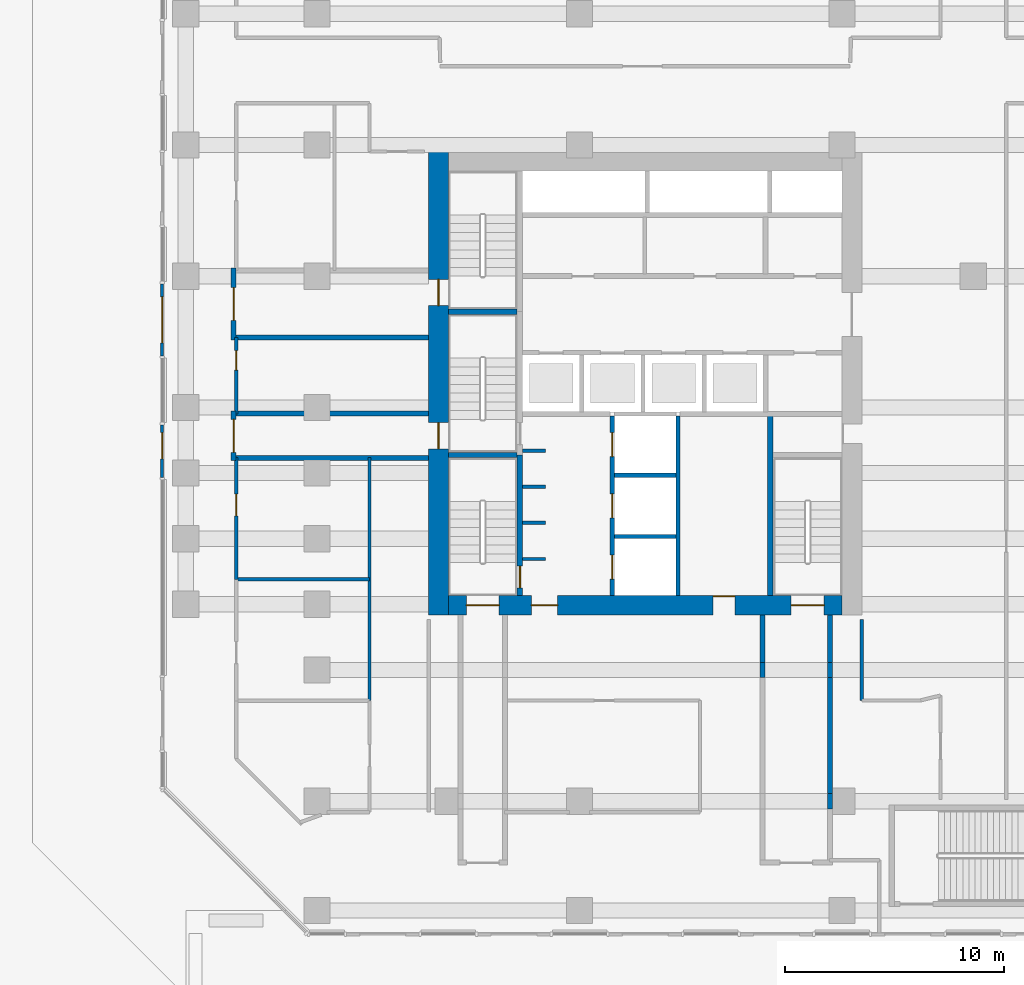
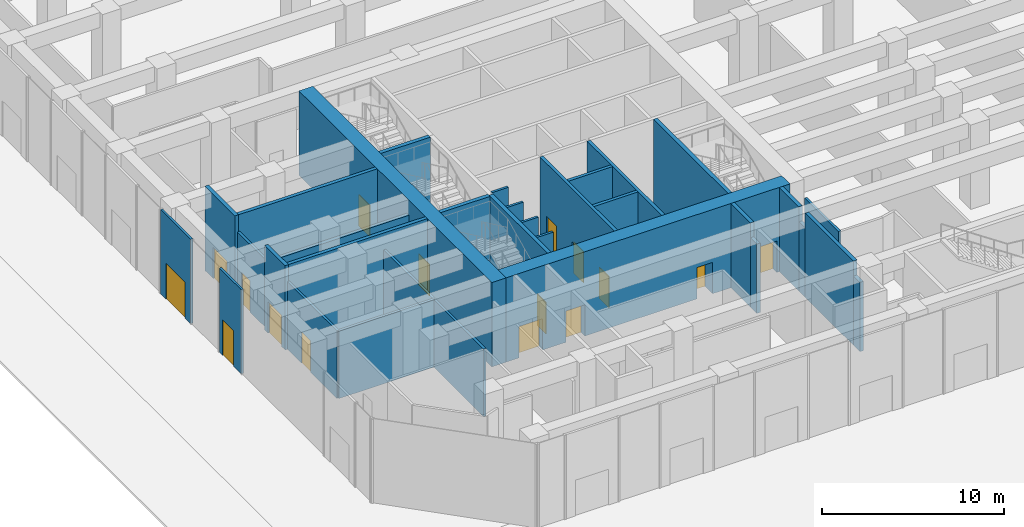
# One storey, part 17 of 32: 32 walls, 16 doors, 16 openings.
"""IFC4 building model written with IfcOpenShell, lengths in metres."""

from ifc_helpers import new_model, si_unit, direction, frame, frame_2d, origin, place, context, subcontext, project, spatial, rectangle, extrude, material, layer, layer_set, type_object, element, fill, save


model = new_model("IFC4")

# Units and contexts
model_context = context("Model", 3, precision=1e-05, world=origin(), true_north=direction((0.0, 1.0)))
body_context = subcontext(model_context, "Body", "Model", "MODEL_VIEW")
ifc_project = project(units=[si_unit("LENGTHUNIT", "METRE"), si_unit("AREAUNIT", "SQUARE_METRE"), si_unit("VOLUMEUNIT", "CUBIC_METRE"), si_unit("PLANEANGLEUNIT", "RADIAN"), si_unit("MASSUNIT", "GRAM", prefix="KILO")], contexts=[model_context])

# Site, building, storey
site_placement = place(None, origin())
site = spatial("IfcSite", under=ifc_project, at=site_placement, CompositionType="ELEMENT")
building_placement = place(site_placement, origin())
building = spatial("IfcBuilding", under=site, at=building_placement, Name="Welwitschia Terrace Campus", CompositionType="ELEMENT")
storey_placement = place(building_placement, origin())
storey = spatial("IfcBuildingStorey", under=building, at=storey_placement, Name="L00", CompositionType="ELEMENT", Elevation=0.0)

# Wall, opening, door
ifc_material_1 = material(Name="Concrete C40/50", Category="concrete")
ifc_layer_1 = layer(ifc_material_1, 0.139892578125)
ifc_layer_set_1 = layer_set([ifc_layer_1], Name="Concrete C40/50")
wall_type_1 = type_object("IfcWallType", Name="Clad wall 140", PredefinedType="SOLIDWALL", material=ifc_layer_set_1)
wall_1_placement = place(storey_placement, frame((-7.0849609375, 19.64990234375, 0.0), z_axis=(0.0, 0.0, 1.0), x_axis=(0.0, -1.0, 0.0)))
wall_1 = element("IfcWall", 1, at=wall_1_placement, inside=storey, type_object=wall_type_1, Name="Clad wall L00.entrance W8", PredefinedType="SOLIDWALL", context=body_context, shape_type="SweptSolid", body=[
    extrude(rectangle(XDim=3.2998046875, YDim=0.139892578125, at=frame_2d((1.64990234375, 0.0))), origin(), (0.0, 0.0, 1.0), 5.64990234375),
])
opening_1_placement = place(wall_1_placement, frame((0.60009765625, 0.0, 0.0)))
opening_1 = element("IfcOpeningElement", 2, at=opening_1_placement, cuts=wall_1, Name="Opening DE1", PredefinedType="OPENING", context=body_context, shape_type="SweptSolid", body=[
    extrude(rectangle(XDim=2.10009765625, YDim=2.39990234375, at=frame_2d((1.050048828125, 1.199951171875))), frame((0.0, 0.079833984375, 0.0), z_axis=(0.0, -1.0, 0.0), x_axis=(1.0, 0.0, 0.0)), (0.0, 0.0, 1.0), 0.159912109375),
])
ifc_material_2 = material(Name="Bronze anodised aluminium and glass", Category="aluminium")
door_type_1 = type_object("IfcDoorType", Name="Entrance door 2100x2400", OperationType="DOUBLE_DOOR_DOUBLE_SWING", PredefinedType="DOOR", material=ifc_material_2)
door_1_placement = place(opening_1_placement, origin())
door_1 = element("IfcDoor", 3, at=door_1_placement, inside=storey, type_object=door_type_1, Name="Entrance door W8", OperationType="DOUBLE_DOOR_DOUBLE_SWING", OverallHeight=2.39990234375, OverallWidth=2.10009765625, PredefinedType="DOOR", context=body_context, shape_type="SweptSolid", body=[
    extrude(rectangle(XDim=2.10009765625, YDim=2.39990234375, at=frame_2d((1.050048828125, 1.199951171875))), frame((0.0, 0.02490234375, 0.0), z_axis=(0.0, -1.0, 0.0), x_axis=(1.0, 0.0, 0.0)), (0.0, 0.0, 1.0), 0.050048828125),
])
fill(opening_1, door_1)

wall_2_placement = place(storey_placement, frame((-7.0849609375, 13.199951171875, 0.0), z_axis=(0.0, 0.0, 1.0), x_axis=(0.0, -1.0, 0.0)))
wall_2 = element("IfcWall", 4, at=wall_2_placement, inside=storey, type_object=wall_type_1, Name="Clad wall L00.entrance WS", PredefinedType="SOLIDWALL", context=body_context, shape_type="SweptSolid", body=[
    extrude(rectangle(XDim=2.39990234375, YDim=0.139892578125, at=frame_2d((1.199951171875, 0.0))), origin(), (0.0, 0.0, 1.0), 5.64990234375),
])
opening_2_placement = place(wall_2_placement, frame((0.35009765625, 0.0, 0.0)))
opening_2 = element("IfcOpeningElement", 5, at=opening_2_placement, cuts=wall_2, Name="Opening DE2", PredefinedType="OPENING", context=body_context, shape_type="SweptSolid", body=[
    extrude(rectangle(XDim=1.199951171875, YDim=2.39990234375, at=frame_2d((0.60009765625, 1.199951171875))), frame((0.0, 0.079833984375, 0.0), z_axis=(0.0, -1.0, 0.0), x_axis=(1.0, 0.0, 0.0)), (0.0, 0.0, 1.0), 0.159912109375),
])
ifc_material_3 = material(Name="Steel S355 frame, bronze finish", Category="steel")
door_type_2 = type_object("IfcDoorType", Name="Service door 1200x2400", OperationType="SINGLE_SWING_LEFT", PredefinedType="DOOR", material=ifc_material_3)
door_2_placement = place(opening_2_placement, origin())
door_2 = element("IfcDoor", 6, at=door_2_placement, inside=storey, type_object=door_type_2, Name="Service door WS", OperationType="SINGLE_SWING_LEFT", OverallHeight=2.39990234375, OverallWidth=1.199951171875, PredefinedType="DOOR", context=body_context, shape_type="SweptSolid", body=[
    extrude(rectangle(XDim=1.199951171875, YDim=2.39990234375, at=frame_2d((0.60009765625, 1.199951171875))), frame((0.0, 0.02490234375, 0.0), z_axis=(0.0, -1.0, 0.0), x_axis=(1.0, 0.0, 0.0)), (0.0, 0.0, 1.0), 0.050048828125),
])
fill(opening_2, door_2)

# Wall
ifc_material_4 = material(Name="Concrete C32/40", Category="concrete")
ifc_layer_2 = layer(ifc_material_4, 0.22509765625)
ifc_layer_set_2 = layer_set([ifc_layer_2], Name="Concrete C32/40")
wall_type_2 = type_object("IfcWallType", Name="Core partition 225 Concrete C32/40", PredefinedType="PARTITIONING", material=ifc_layer_set_2)
wall_3_placement = place(storey_placement, frame((-3.699951171875, 11.6875, 0.0), z_axis=(0.0, 0.0, 1.0), x_axis=(1.0, 0.0, 0.0)))
element("IfcWall", 7, at=wall_3_placement, inside=storey, type_object=wall_type_2, Name="Exit passage wall", PredefinedType="PARTITIONING", context=body_context, shape_type="SweptSolid", body=[
    extrude(rectangle(XDim=8.800048828125, YDim=0.22509765625, at=frame_2d((4.39990234375, 0.0))), origin(), (0.0, 0.0, 1.0), 5.64990234375),
])

# Wall, opening, door
wall_4_placement = place(storey_placement, frame((-3.8125, 11.574951171875, 0.0), z_axis=(0.0, 0.0, 1.0), x_axis=(0.0, 1.0, 0.0)))
wall_4 = element("IfcWall", 8, at=wall_4_placement, inside=storey, type_object=wall_type_2, Name="Exit passage wall", PredefinedType="PARTITIONING", context=body_context, shape_type="SweptSolid", body=[
    extrude(rectangle(XDim=2.25, YDim=0.22509765625, at=frame_2d((1.125, 0.0))), origin(), (0.0, 0.0, 1.0), 5.64990234375),
])
opening_3_placement = place(wall_4_placement, frame((0.375, 0.0, 0.0)))
opening_3 = element("IfcOpeningElement", 9, at=opening_3_placement, cuts=wall_4, Name="Opening DS15", PredefinedType="OPENING", context=body_context, shape_type="SweptSolid", body=[
    extrude(rectangle(XDim=1.5, YDim=2.10009765625, at=frame_2d((0.75, 1.050048828125))), frame((0.0, 0.12255859375, 0.0), z_axis=(0.0, -1.0, 0.0), x_axis=(1.0, 0.0, 0.0)), (0.0, 0.0, 1.0), 0.2451171875),
])
ifc_material_5 = material(Name="Steel S275", Category="steel")
door_type_3 = type_object("IfcDoorType", Name="Core door DS15", OperationType="DOUBLE_DOOR_SINGLE_SWING", PredefinedType="DOOR", material=ifc_material_5)
door_3_placement = place(opening_3_placement, origin())
door_3 = element("IfcDoor", 10, at=door_3_placement, inside=storey, type_object=door_type_3, Name="Door S3 exit", OperationType="DOUBLE_DOOR_SINGLE_SWING", OverallHeight=2.10009765625, OverallWidth=1.5, PredefinedType="DOOR", context=body_context, shape_type="SweptSolid", body=[
    extrude(rectangle(XDim=1.5, YDim=2.10009765625, at=frame_2d((0.75, 1.050048828125))), frame((0.0, 0.02490234375, 0.0), z_axis=(0.0, -1.0, 0.0), x_axis=(1.0, 0.0, 0.0)), (0.0, 0.0, 1.0), 0.050048828125),
])
fill(opening_3, door_3)

# Wall
wall_5_placement = place(storey_placement, frame((-3.699951171875, 17.1875, 0.0), z_axis=(0.0, 0.0, 1.0), x_axis=(1.0, 0.0, 0.0)))
element("IfcWall", 11, at=wall_5_placement, inside=storey, type_object=wall_type_2, Name="Exit passage wall", PredefinedType="PARTITIONING", context=body_context, shape_type="SweptSolid", body=[
    extrude(rectangle(XDim=8.800048828125, YDim=0.22509765625, at=frame_2d((4.39990234375, 0.0))), origin(), (0.0, 0.0, 1.0), 5.64990234375),
])

# Wall, opening, door
wall_6_placement = place(storey_placement, frame((-3.8125, 17.074951171875, 0.0), z_axis=(0.0, 0.0, 1.0), x_axis=(0.0, 1.0, 0.0)))
wall_6 = element("IfcWall", 12, at=wall_6_placement, inside=storey, type_object=wall_type_2, Name="Exit passage wall", PredefinedType="PARTITIONING", context=body_context, shape_type="SweptSolid", body=[
    extrude(rectangle(XDim=3.300048828125, YDim=0.22509765625, at=frame_2d((1.64990234375, 0.0))), origin(), (0.0, 0.0, 1.0), 5.64990234375),
])
opening_4_placement = place(wall_6_placement, frame((0.89990234375, 0.0, 0.0)))
opening_4 = element("IfcOpeningElement", 13, at=opening_4_placement, cuts=wall_6, Name="Opening DS15", PredefinedType="OPENING", context=body_context, shape_type="SweptSolid", body=[
    extrude(rectangle(XDim=1.5, YDim=2.10009765625, at=frame_2d((0.75, 1.050048828125))), frame((0.0, 0.12255859375, 0.0), z_axis=(0.0, -1.0, 0.0), x_axis=(1.0, 0.0, 0.0)), (0.0, 0.0, 1.0), 0.2451171875),
])
door_4_placement = place(opening_4_placement, origin())
door_4 = element("IfcDoor", 14, at=door_4_placement, inside=storey, type_object=door_type_3, Name="Door S4 exit", OperationType="DOUBLE_DOOR_SINGLE_SWING", OverallHeight=2.10009765625, OverallWidth=1.5, PredefinedType="DOOR", context=body_context, shape_type="SweptSolid", body=[
    extrude(rectangle(XDim=1.5, YDim=2.10009765625, at=frame_2d((0.75, 1.050048828125))), frame((0.0, 0.02490234375, 0.0), z_axis=(0.0, -1.0, 0.0), x_axis=(1.0, 0.0, 0.0)), (0.0, 0.0, 1.0), 0.050048828125),
])
fill(opening_4, door_4)

# Walls
wall_7_placement = place(storey_placement, frame((20.362548828125, 2.35009765625, 0.0), z_axis=(0.0, 0.0, 1.0), x_axis=(0.0, 1.0, 0.0)))
element("IfcWall", 15, at=wall_7_placement, inside=storey, type_object=wall_type_2, Name="Exit passage wall", PredefinedType="PARTITIONING", context=body_context, shape_type="SweptSolid", body=[
    extrude(rectangle(XDim=2.14990234375, YDim=0.22509765625, at=frame_2d((1.074951171875, 0.0))), origin(), (0.0, 0.0, 1.0), 5.64990234375),
])
wall_8_placement = place(storey_placement, frame((23.4375, 1.64990234375, 0.0), z_axis=(0.0, 0.0, 1.0), x_axis=(0.0, -1.0, 0.0)))
element("IfcWall", 16, at=wall_8_placement, inside=storey, type_object=wall_type_2, Name="Exit passage wall", PredefinedType="PARTITIONING", context=body_context, shape_type="SweptSolid", body=[
    extrude(rectangle(XDim=5.2998046875, YDim=0.22509765625, at=frame_2d((2.64990234375, 0.0))), origin(), (0.0, 0.0, 1.0), 5.64990234375),
])
wall_9_placement = place(storey_placement, frame((23.4375, 4.5, 0.0), z_axis=(0.0, 0.0, 1.0), x_axis=(0.0, -1.0, 0.0)))
element("IfcWall", 17, at=wall_9_placement, inside=storey, type_object=wall_type_2, Name="Exit passage wall", PredefinedType="PARTITIONING", context=body_context, shape_type="SweptSolid", body=[
    extrude(rectangle(XDim=2.14990234375, YDim=0.22509765625, at=frame_2d((1.074951171875, 0.0))), origin(), (0.0, 0.0, 1.0), 5.64990234375),
])
ifc_material_6 = material(Name="Concrete C32/40", Category="concrete")
ifc_layer_3 = layer(ifc_material_6, 0.22509765625)
ifc_layer_set_3 = layer_set([ifc_layer_3], Name="Concrete C32/40")
wall_type_3 = type_object("IfcWallType", Name="Core partition 225 under beam Concrete C32/40", PredefinedType="PARTITIONING", material=ifc_layer_set_3)
wall_10_placement = place(storey_placement, frame((5.10009765625, 13.71240234375, 0.0), z_axis=(0.0, 0.0, 1.0), x_axis=(-1.0, 0.0, 0.0)))
element("IfcWall", 18, at=wall_10_placement, inside=storey, type_object=wall_type_3, Name="Exit passage wall", PredefinedType="PARTITIONING", context=body_context, shape_type="SweptSolid", body=[
    extrude(rectangle(XDim=8.800048828125, YDim=0.22509765625, at=frame_2d((4.39990234375, 0.0))), origin(), (0.0, 0.0, 1.0), 4.64990234375),
])
for number, where, z_axis, x_axis, name in (
    (19, (20.362548828125, 1.64990234375, 0.0), (0.0, 0.0, 1.0), (0.0, 1.0, 0.0), "Exit passage wall"),
    (20, (23.4375, -3.64990234375, 0.0), (0.0, 0.0, 1.0), (0.0, -1.0, 0.0), "Exit passage wall"),
    (21, (23.4375, 2.35009765625, 0.0), (0.0, 0.0, 1.0), (0.0, -1.0, 0.0), "Exit passage wall"),
):
    element("IfcWall", number, at=place(storey_placement, frame(where, z_axis=z_axis, x_axis=x_axis)), inside=storey, type_object=wall_type_3, Name=name, PredefinedType="PARTITIONING", context=body_context, shape_type="SweptSolid", body=[
        extrude(rectangle(XDim=0.7001953125, YDim=0.22509765625, at=frame_2d((0.35009765625, 0.0))), origin(), (0.0, 0.0, 1.0), 4.64990234375),
    ])
ifc_material_7 = material(Name="Concrete C50/60", Category="concrete")
ifc_layer_4 = layer(ifc_material_7, 0.14990234375)
ifc_layer_set_4 = layer_set([ifc_layer_4], Name="Concrete C50/60")
wall_type_4 = type_object("IfcWallType", Name="Core wall 150 Concrete C50/60", PredefinedType="SHEAR", material=ifc_layer_set_4)
for number, where, z_axis, x_axis, name in (
    (22, (9.39990234375, 7.074951171875, 0.0), (0.0, 0.0, 1.0), (1.0, 0.0, 0.0), "Core wall"),
    (23, (9.39990234375, 8.72509765625, 0.0), (0.0, 0.0, 1.0), (1.0, 0.0, 0.0), "Core wall"),
    (24, (9.39990234375, 10.375, 0.0), (0.0, 0.0, 1.0), (1.0, 0.0, 0.0), "Core wall"),
    (25, (9.39990234375, 12.02490234375, 0.0), (0.0, 0.0, 1.0), (1.0, 0.0, 0.0), "Core wall"),
):
    element("IfcWall", number, at=place(storey_placement, frame(where, z_axis=z_axis, x_axis=x_axis)), inside=storey, type_object=wall_type_4, Name=name, PredefinedType="SHEAR", context=body_context, shape_type="SweptSolid", body=[
        extrude(rectangle(XDim=1.050048828125, YDim=0.14990234375, at=frame_2d((0.52490234375, 0.0))), origin(), (0.0, 0.0, 1.0), 5.64990234375),
    ])
ifc_material_8 = material(Name="Concrete C50/60", Category="concrete")
ifc_layer_5 = layer(ifc_material_8, 0.199951171875)
ifc_layer_set_5 = layer_set([ifc_layer_5], Name="Concrete C50/60")
wall_type_5 = type_object("IfcWallType", Name="Core wall 200 Concrete C50/60", PredefinedType="SHEAR", material=ifc_layer_set_5)
for number, where, z_axis, x_axis, name in (
    (26, (13.60009765625, 8.10009765625, 0.0), (0.0, 0.0, 1.0), (1.0, 0.0, 0.0), "Core wall"),
    (27, (13.60009765625, 10.89990234375, 0.0), (0.0, 0.0, 1.0), (1.0, 0.0, 0.0), "Core wall"),
):
    element("IfcWall", number, at=place(storey_placement, frame(where, z_axis=z_axis, x_axis=x_axis)), inside=storey, type_object=wall_type_5, Name=name, PredefinedType="SHEAR", context=body_context, shape_type="SweptSolid", body=[
        extrude(rectangle(XDim=2.7998046875, YDim=0.199951171875, at=frame_2d((1.39990234375, 0.0))), origin(), (0.0, 0.0, 1.0), 5.64990234375),
    ])

# Wall, openings, doors
wall_11_placement = place(storey_placement, frame((13.5, 5.39990234375, 0.0), z_axis=(0.0, 0.0, 1.0), x_axis=(0.0, 1.0, 0.0)))
wall_11 = element("IfcWall", 28, at=wall_11_placement, inside=storey, type_object=wall_type_5, Name="Core wall", PredefinedType="SHEAR", context=body_context, shape_type="SweptSolid", body=[
    extrude(rectangle(XDim=8.2001953125, YDim=0.199951171875, at=frame_2d((4.10009765625, 0.0))), origin(), (0.0, 0.0, 1.0), 5.64990234375),
])
opening_5_placement = place(wall_11_placement, frame((0.75, 0.0, 0.0)))
opening_5 = element("IfcOpeningElement", 29, at=opening_5_placement, cuts=wall_11, Name="Opening LD", PredefinedType="OPENING", context=body_context, shape_type="SweptSolid", body=[
    extrude(rectangle(XDim=1.10009765625, YDim=2.10009765625, at=frame_2d((0.550048828125, 1.050048828125))), frame((0.0, 0.10986328125, 0.0), z_axis=(0.0, -1.0, 0.0), x_axis=(1.0, 0.0, 0.0)), (0.0, 0.0, 1.0), 0.219970703125),
])
opening_6_placement = place(wall_11_placement, frame((3.550048828125, 0.0, 0.0)))
opening_6 = element("IfcOpeningElement", 30, at=opening_6_placement, cuts=wall_11, Name="Opening LD", PredefinedType="OPENING", context=body_context, shape_type="SweptSolid", body=[
    extrude(rectangle(XDim=1.10009765625, YDim=2.10009765625, at=frame_2d((0.550048828125, 1.050048828125))), frame((0.0, 0.10986328125, 0.0), z_axis=(0.0, -1.0, 0.0), x_axis=(1.0, 0.0, 0.0)), (0.0, 0.0, 1.0), 0.219970703125),
])
opening_7_placement = place(wall_11_placement, frame((6.35009765625, 0.0, 0.0)))
opening_7 = element("IfcOpeningElement", 31, at=opening_7_placement, cuts=wall_11, Name="Opening LD", PredefinedType="OPENING", context=body_context, shape_type="SweptSolid", body=[
    extrude(rectangle(XDim=1.10009765625, YDim=2.10009765625, at=frame_2d((0.550048828125, 1.050048828125))), frame((0.0, 0.10986328125, 0.0), z_axis=(0.0, -1.0, 0.0), x_axis=(1.0, 0.0, 0.0)), (0.0, 0.0, 1.0), 0.219970703125),
])
ifc_material_9 = material(Name="Stainless steel 304", Category="steel")
door_type_4 = type_object("IfcDoorType", Name="Lift landing door", OperationType="DOUBLE_DOOR_SLIDING", PredefinedType="DOOR", material=ifc_material_9)
door_5_placement = place(opening_5_placement, origin())
door_5 = element("IfcDoor", 32, at=door_5_placement, inside=storey, type_object=door_type_4, Name="Landing door FF1", OperationType="DOUBLE_DOOR_SLIDING", OverallHeight=2.10009765625, OverallWidth=1.10009765625, PredefinedType="DOOR", context=body_context, shape_type="SweptSolid", body=[
    extrude(rectangle(XDim=1.10009765625, YDim=2.10009765625, at=frame_2d((0.550048828125, 1.050048828125))), frame((0.0, 0.02490234375, 0.0), z_axis=(0.0, -1.0, 0.0), x_axis=(1.0, 0.0, 0.0)), (0.0, 0.0, 1.0), 0.050048828125),
])
fill(opening_5, door_5)
door_6_placement = place(opening_6_placement, origin())
door_6 = element("IfcDoor", 33, at=door_6_placement, inside=storey, type_object=door_type_4, Name="Landing door FF2", OperationType="DOUBLE_DOOR_SLIDING", OverallHeight=2.10009765625, OverallWidth=1.10009765625, PredefinedType="DOOR", context=body_context, shape_type="SweptSolid", body=[
    extrude(rectangle(XDim=1.10009765625, YDim=2.10009765625, at=frame_2d((0.550048828125, 1.050048828125))), frame((0.0, 0.02490234375, 0.0), z_axis=(0.0, -1.0, 0.0), x_axis=(1.0, 0.0, 0.0)), (0.0, 0.0, 1.0), 0.050048828125),
])
fill(opening_6, door_6)
door_7_placement = place(opening_7_placement, origin())
door_7 = element("IfcDoor", 34, at=door_7_placement, inside=storey, type_object=door_type_4, Name="Landing door SV1", OperationType="DOUBLE_DOOR_SLIDING", OverallHeight=2.10009765625, OverallWidth=1.10009765625, PredefinedType="DOOR", context=body_context, shape_type="SweptSolid", body=[
    extrude(rectangle(XDim=1.10009765625, YDim=2.10009765625, at=frame_2d((0.550048828125, 1.050048828125))), frame((0.0, 0.02490234375, 0.0), z_axis=(0.0, -1.0, 0.0), x_axis=(1.0, 0.0, 0.0)), (0.0, 0.0, 1.0), 0.050048828125),
])
fill(opening_7, door_7)

# Walls
wall_12_placement = place(storey_placement, frame((16.5, 5.39990234375, 0.0), z_axis=(0.0, 0.0, 1.0), x_axis=(0.0, 1.0, 0.0)))
element("IfcWall", 35, at=wall_12_placement, inside=storey, type_object=wall_type_5, Name="Core wall", PredefinedType="SHEAR", context=body_context, shape_type="SweptSolid", body=[
    extrude(rectangle(XDim=8.2001953125, YDim=0.199951171875, at=frame_2d((4.10009765625, 0.0))), origin(), (0.0, 0.0, 1.0), 5.64990234375),
])
ifc_material_10 = material(Name="Concrete C50/60", Category="concrete")
ifc_layer_6 = layer(ifc_material_10, 0.25)
ifc_layer_set_6 = layer_set([ifc_layer_6], Name="Concrete C50/60")
wall_type_6 = type_object("IfcWallType", Name="Core wall 250 Concrete C50/60", PredefinedType="SHEAR", material=ifc_layer_set_6)
for number, where, z_axis, x_axis, name in (
    (36, (6.0, 11.824951171875, 0.0), (0.0, 0.0, 1.0), (1.0, 0.0, 0.0), "Core wall"),
    (37, (6.0, 18.375, 0.0), (0.0, 0.0, 1.0), (1.0, 0.0, 0.0), "Core wall"),
):
    element("IfcWall", number, at=place(storey_placement, frame(where, z_axis=z_axis, x_axis=x_axis)), inside=storey, type_object=wall_type_6, Name=name, PredefinedType="SHEAR", context=body_context, shape_type="SweptSolid", body=[
        extrude(rectangle(XDim=3.14990234375, YDim=0.25, at=frame_2d((1.574951171875, 0.0))), origin(), (0.0, 0.0, 1.0), 5.64990234375),
    ])

# Wall, opening, door
wall_13_placement = place(storey_placement, frame((9.27490234375, 11.824951171875, 0.0), z_axis=(0.0, 0.0, 1.0), x_axis=(0.0, -1.0, 0.0)))
wall_13 = element("IfcWall", 38, at=wall_13_placement, inside=storey, type_object=wall_type_6, Name="Core wall", PredefinedType="SHEAR", context=body_context, shape_type="SweptSolid", body=[
    extrude(rectangle(XDim=6.425048828125, YDim=0.25, at=frame_2d((3.21240234375, 0.0))), origin(), (0.0, 0.0, 1.0), 5.64990234375),
])
opening_8_placement = place(wall_13_placement, frame((5.074951171875, 0.0, 0.0)))
opening_8 = element("IfcOpeningElement", 39, at=opening_8_placement, cuts=wall_13, Name="Opening DS10", PredefinedType="OPENING", context=body_context, shape_type="SweptSolid", body=[
    extrude(rectangle(XDim=1.0, YDim=2.10009765625, at=frame_2d((0.5, 1.050048828125))), frame((0.0, 0.135009765625, 0.0), z_axis=(0.0, -1.0, 0.0), x_axis=(1.0, 0.0, 0.0)), (0.0, 0.0, 1.0), 0.27001953125),
])
ifc_material_11 = material(Name="Steel S275", Category="steel")
door_type_5 = type_object("IfcDoorType", Name="Core door DS10", OperationType="SINGLE_SWING_LEFT", PredefinedType="DOOR", material=ifc_material_11)
door_8_placement = place(opening_8_placement, origin())
door_8 = element("IfcDoor", 40, at=door_8_placement, inside=storey, type_object=door_type_5, Name="Door S1-FL", OperationType="SINGLE_SWING_RIGHT", OverallHeight=2.10009765625, OverallWidth=1.0, PredefinedType="DOOR", context=body_context, shape_type="SweptSolid", body=[
    extrude(rectangle(XDim=1.0, YDim=2.10009765625, at=frame_2d((0.5, 1.050048828125))), frame((0.0, 0.02490234375, 0.0), z_axis=(0.0, -1.0, 0.0), x_axis=(1.0, 0.0, 0.0)), (0.0, 0.0, 1.0), 0.050048828125),
])
fill(opening_8, door_8)

# Wall
wall_14_placement = place(storey_placement, frame((20.72509765625, 5.39990234375, 0.0), z_axis=(0.0, 0.0, 1.0), x_axis=(0.0, 1.0, 0.0)))
element("IfcWall", 41, at=wall_14_placement, inside=storey, type_object=wall_type_6, Name="Core wall", PredefinedType="SHEAR", context=body_context, shape_type="SweptSolid", body=[
    extrude(rectangle(XDim=8.2001953125, YDim=0.25, at=frame_2d((4.10009765625, 0.0))), origin(), (0.0, 0.0, 1.0), 5.64990234375),
])

# Wall, openings, doors
ifc_material_12 = material(Name="Concrete C70/85", Category="concrete")
ifc_layer_7 = layer(ifc_material_12, 0.89990234375)
ifc_layer_set_7 = layer_set([ifc_layer_7], Name="Concrete C70/85")
wall_type_7 = type_object("IfcWallType", Name="Core wall 900 Concrete C70/85", PredefinedType="SHEAR", material=ifc_layer_set_7)
wall_15_placement = place(storey_placement, frame((5.550048828125, 4.5, 0.0), z_axis=(0.0, 0.0, 1.0), x_axis=(0.0, 1.0, 0.0)))
wall_15 = element("IfcWall", 42, at=wall_15_placement, inside=storey, type_object=wall_type_7, Name="Core outer wall", PredefinedType="SHEAR", context=body_context, shape_type="SweptSolid", body=[
    extrude(rectangle(XDim=21.199951171875, YDim=0.89990234375, at=frame_2d((10.60009765625, 0.0))), origin(), (0.0, 0.0, 1.0), 5.64990234375),
])
opening_9_placement = place(wall_15_placement, frame((7.60009765625, 0.0, 0.0)))
opening_9 = element("IfcOpeningElement", 43, at=opening_9_placement, cuts=wall_15, Name="Opening DS12", PredefinedType="OPENING", context=body_context, shape_type="SweptSolid", body=[
    extrude(rectangle(XDim=1.199951171875, YDim=2.10009765625, at=frame_2d((0.60009765625, 1.050048828125))), frame((0.0, 0.4599609375, 0.0), z_axis=(0.0, -1.0, 0.0), x_axis=(1.0, 0.0, 0.0)), (0.0, 0.0, 1.0), 0.919921875),
])
opening_10_placement = place(wall_15_placement, frame((14.14990234375, 0.0, 0.0)))
opening_10 = element("IfcOpeningElement", 44, at=opening_10_placement, cuts=wall_15, Name="Opening DS12", PredefinedType="OPENING", context=body_context, shape_type="SweptSolid", body=[
    extrude(rectangle(XDim=1.199951171875, YDim=2.10009765625, at=frame_2d((0.60009765625, 1.050048828125))), frame((0.0, 0.4599609375, 0.0), z_axis=(0.0, -1.0, 0.0), x_axis=(1.0, 0.0, 0.0)), (0.0, 0.0, 1.0), 0.919921875),
])
ifc_material_13 = material(Name="Steel S275", Category="steel")
door_type_6 = type_object("IfcDoorType", Name="Core door DS12", OperationType="SINGLE_SWING_LEFT", PredefinedType="DOOR", material=ifc_material_13)
door_9_placement = place(opening_9_placement, origin())
door_9 = element("IfcDoor", 45, at=door_9_placement, inside=storey, type_object=door_type_6, Name="Door S3-out", OperationType="SINGLE_SWING_LEFT", OverallHeight=2.10009765625, OverallWidth=1.199951171875, PredefinedType="DOOR", context=body_context, shape_type="SweptSolid", body=[
    extrude(rectangle(XDim=1.199951171875, YDim=2.10009765625, at=frame_2d((0.60009765625, 1.050048828125))), frame((0.0, 0.02490234375, 0.0), z_axis=(0.0, -1.0, 0.0), x_axis=(1.0, 0.0, 0.0)), (0.0, 0.0, 1.0), 0.050048828125),
])
fill(opening_9, door_9)
door_10_placement = place(opening_10_placement, origin())
door_10 = element("IfcDoor", 46, at=door_10_placement, inside=storey, type_object=door_type_6, Name="Door S4-out", OperationType="SINGLE_SWING_RIGHT", OverallHeight=2.10009765625, OverallWidth=1.199951171875, PredefinedType="DOOR", context=body_context, shape_type="SweptSolid", body=[
    extrude(rectangle(XDim=1.199951171875, YDim=2.10009765625, at=frame_2d((0.60009765625, 1.050048828125))), frame((0.0, 0.02490234375, 0.0), z_axis=(0.0, -1.0, 0.0), x_axis=(1.0, 0.0, 0.0)), (0.0, 0.0, 1.0), 0.050048828125),
])
fill(opening_10, door_10)

wall_16_placement = place(storey_placement, frame((24.0, 4.949951171875, 0.0), z_axis=(0.0, 0.0, 1.0), x_axis=(-1.0, 0.0, 0.0)))
wall_16 = element("IfcWall", 47, at=wall_16_placement, inside=storey, type_object=wall_type_7, Name="Core outer wall", PredefinedType="SHEAR", context=body_context, shape_type="SweptSolid", body=[
    extrude(rectangle(XDim=18.0, YDim=0.89990234375, at=frame_2d((9.0, 0.0))), origin(), (0.0, 0.0, 1.0), 5.64990234375),
])
opening_11_placement = place(wall_16_placement, frame((15.675048828125, 0.0, 0.0)))
opening_11 = element("IfcOpeningElement", 48, at=opening_11_placement, cuts=wall_16, Name="Opening DS15", PredefinedType="OPENING", context=body_context, shape_type="SweptSolid", body=[
    extrude(rectangle(XDim=1.5, YDim=2.10009765625, at=frame_2d((0.75, 1.050048828125))), frame((0.0, 0.4599609375, 0.0), z_axis=(0.0, -1.0, 0.0), x_axis=(1.0, 0.0, 0.0)), (0.0, 0.0, 1.0), 0.919921875),
])
opening_12_placement = place(wall_16_placement, frame((0.824951171875, 0.0, 0.0)))
opening_12 = element("IfcOpeningElement", 49, at=opening_12_placement, cuts=wall_16, Name="Opening DS15", PredefinedType="OPENING", context=body_context, shape_type="SweptSolid", body=[
    extrude(rectangle(XDim=1.5, YDim=2.10009765625, at=frame_2d((0.75, 1.050048828125))), frame((0.0, 0.4599609375, 0.0), z_axis=(0.0, -1.0, 0.0), x_axis=(1.0, 0.0, 0.0)), (0.0, 0.0, 1.0), 0.919921875),
])
opening_13_placement = place(wall_16_placement, frame((13.0, 0.0, 0.0)))
opening_13 = element("IfcOpeningElement", 50, at=opening_13_placement, cuts=wall_16, Name="Opening DF12", PredefinedType="OPENING", context=body_context, shape_type="SweptSolid", body=[
    extrude(rectangle(XDim=1.199951171875, YDim=2.10009765625, at=frame_2d((0.60009765625, 1.050048828125))), frame((0.0, 0.4599609375, 0.0), z_axis=(0.0, -1.0, 0.0), x_axis=(1.0, 0.0, 0.0)), (0.0, 0.0, 1.0), 0.919921875),
])
opening_14_placement = place(wall_16_placement, frame((4.89990234375, 0.0, 0.0)))
opening_14 = element("IfcOpeningElement", 51, at=opening_14_placement, cuts=wall_16, Name="Opening DR10", PredefinedType="OPENING", context=body_context, shape_type="SweptSolid", body=[
    extrude(rectangle(XDim=1.0, YDim=2.10009765625, at=frame_2d((0.5, 1.050048828125))), frame((0.0, 0.4599609375, 0.0), z_axis=(0.0, -1.0, 0.0), x_axis=(1.0, 0.0, 0.0)), (0.0, 0.0, 1.0), 0.919921875),
])
ifc_material_14 = material(Name="Steel S275", Category="steel")
door_type_7 = type_object("IfcDoorType", Name="Core door DF12", OperationType="SINGLE_SWING_LEFT", PredefinedType="DOOR", material=ifc_material_14)
door_11_placement = place(opening_13_placement, origin())
door_11 = element("IfcDoor", 52, at=door_11_placement, inside=storey, type_object=door_type_7, Name="Door FL-out", OperationType="SINGLE_SWING_RIGHT", OverallHeight=2.10009765625, OverallWidth=1.199951171875, PredefinedType="DOOR", context=body_context, shape_type="SweptSolid", body=[
    extrude(rectangle(XDim=1.199951171875, YDim=2.10009765625, at=frame_2d((0.60009765625, 1.050048828125))), frame((0.0, 0.02490234375, 0.0), z_axis=(0.0, -1.0, 0.0), x_axis=(1.0, 0.0, 0.0)), (0.0, 0.0, 1.0), 0.050048828125),
])
fill(opening_13, door_11)
ifc_material_15 = material(Name="Steel S275", Category="steel")
door_type_8 = type_object("IfcDoorType", Name="Core door DR10", OperationType="SINGLE_SWING_LEFT", PredefinedType="DOOR", material=ifc_material_15)
door_12_placement = place(opening_14_placement, origin())
door_12 = element("IfcDoor", 53, at=door_12_placement, inside=storey, type_object=door_type_8, Name="Door F1-out", OperationType="SINGLE_SWING_LEFT", OverallHeight=2.10009765625, OverallWidth=1.0, PredefinedType="DOOR", context=body_context, shape_type="SweptSolid", body=[
    extrude(rectangle(XDim=1.0, YDim=2.10009765625, at=frame_2d((0.5, 1.050048828125))), frame((0.0, -0.39013671875, 0.0), z_axis=(0.0, -1.0, 0.0), x_axis=(1.0, 0.0, 0.0)), (0.0, 0.0, 1.0), 0.050048828125),
])
fill(opening_14, door_12)
door_13_placement = place(opening_11_placement, origin())
door_13 = element("IfcDoor", 54, at=door_13_placement, inside=storey, type_object=door_type_3, Name="Door S1-out", OperationType="DOUBLE_DOOR_SINGLE_SWING", OverallHeight=2.10009765625, OverallWidth=1.5, PredefinedType="DOOR", context=body_context, shape_type="SweptSolid", body=[
    extrude(rectangle(XDim=1.5, YDim=2.10009765625, at=frame_2d((0.75, 1.050048828125))), frame((0.0, 0.02490234375, 0.0), z_axis=(0.0, -1.0, 0.0), x_axis=(1.0, 0.0, 0.0)), (0.0, 0.0, 1.0), 0.050048828125),
])
fill(opening_11, door_13)
door_14_placement = place(opening_12_placement, origin())
door_14 = element("IfcDoor", 55, at=door_14_placement, inside=storey, type_object=door_type_3, Name="Door S2-out", OperationType="DOUBLE_DOOR_SINGLE_SWING", OverallHeight=2.10009765625, OverallWidth=1.5, PredefinedType="DOOR", context=body_context, shape_type="SweptSolid", body=[
    extrude(rectangle(XDim=1.5, YDim=2.10009765625, at=frame_2d((0.75, 1.050048828125))), frame((0.0, 0.02490234375, 0.0), z_axis=(0.0, -1.0, 0.0), x_axis=(1.0, 0.0, 0.0)), (0.0, 0.0, 1.0), 0.050048828125),
])
fill(opening_12, door_14)

# Wall
ifc_material_16 = material(Name="Gypsum board on steel studs", Category="steel")
ifc_layer_8 = layer(ifc_material_16, 0.14990234375)
ifc_layer_set_8 = layer_set([ifc_layer_8], Name="Gypsum board on steel studs")
wall_type_8 = type_object("IfcWallType", Name="Corridor partition 150 EI 30", PredefinedType="PARTITIONING", material=ifc_layer_set_8)
wall_17_placement = place(storey_placement, frame((-3.699951171875, 6.139892578125, 0.0), z_axis=(0.0, 0.0, 1.0), x_axis=(1.0, 0.0, 0.0)))
element("IfcWall", 56, at=wall_17_placement, inside=storey, type_object=wall_type_8, Name="Partition", PredefinedType="PARTITIONING", context=body_context, shape_type="SweptSolid", body=[
    extrude(rectangle(XDim=6.099853515625, YDim=0.14990234375, at=frame_2d((3.0498046875, 0.0))), origin(), (0.0, 0.0, 1.0), 4.530029296875),
])

# Wall, opening, door
wall_18_placement = place(storey_placement, frame((-3.699951171875, 11.699951171875, 0.0), z_axis=(0.0, 0.0, 1.0), x_axis=(0.0, -1.0, 0.0)))
wall_18 = element("IfcWall", 57, at=wall_18_placement, inside=storey, type_object=wall_type_8, Name="Partition", PredefinedType="PARTITIONING", context=body_context, shape_type="SweptSolid", body=[
    extrude(rectangle(XDim=5.56005859375, YDim=0.14990234375, at=frame_2d((2.780029296875, 0.0))), origin(), (0.0, 0.0, 1.0), 4.530029296875),
])
opening_15_placement = place(wall_18_placement, frame((1.659912109375, 0.0, 0.0)))
opening_15 = element("IfcOpeningElement", 58, at=opening_15_placement, cuts=wall_18, Name="Opening DI10", PredefinedType="OPENING", context=body_context, shape_type="SweptSolid", body=[
    extrude(rectangle(XDim=1.0, YDim=2.10009765625, at=frame_2d((0.5, 1.050048828125))), frame((0.0, 0.0849609375, 0.0), z_axis=(0.0, -1.0, 0.0), x_axis=(1.0, 0.0, 0.0)), (0.0, 0.0, 1.0), 0.169921875),
])
ifc_material_17 = material(Name="Timber veneered door", Category="wood")
door_type_9 = type_object("IfcDoorType", Name="Interior door DI10", OperationType="NOTDEFINED", PredefinedType="DOOR", material=ifc_material_17)
door_15_placement = place(opening_15_placement, origin())
door_15 = element("IfcDoor", 59, at=door_15_placement, inside=storey, type_object=door_type_9, Name="Door L00 017", OperationType="SINGLE_SWING_RIGHT", OverallHeight=2.10009765625, OverallWidth=1.0, PredefinedType="DOOR", context=body_context, shape_type="SweptSolid", body=[
    extrude(rectangle(XDim=1.0, YDim=2.10009765625, at=frame_2d((0.5, 1.050048828125))), frame((0.0, 0.02490234375, 0.0), z_axis=(0.0, -1.0, 0.0), x_axis=(1.0, 0.0, 0.0)), (0.0, 0.0, 1.0), 0.050048828125),
])
fill(opening_15, door_15)

wall_19_placement = place(storey_placement, frame((-3.699951171875, 17.199951171875, 0.0), z_axis=(0.0, 0.0, 1.0), x_axis=(0.0, -1.0, 0.0)))
wall_19 = element("IfcWall", 60, at=wall_19_placement, inside=storey, type_object=wall_type_8, Name="Partition", PredefinedType="PARTITIONING", context=body_context, shape_type="SweptSolid", body=[
    extrude(rectangle(XDim=3.5, YDim=0.14990234375, at=frame_2d((1.75, 0.0))), origin(), (0.0, 0.0, 1.0), 4.530029296875),
])
opening_16_placement = place(wall_19_placement, frame((0.60009765625, 0.0, 0.0)))
opening_16 = element("IfcOpeningElement", 61, at=opening_16_placement, cuts=wall_19, Name="Opening DI09", PredefinedType="OPENING", context=body_context, shape_type="SweptSolid", body=[
    extrude(rectangle(XDim=0.89990234375, YDim=2.10009765625, at=frame_2d((0.449951171875, 1.050048828125))), frame((0.0, 0.0849609375, 0.0), z_axis=(0.0, -1.0, 0.0), x_axis=(1.0, 0.0, 0.0)), (0.0, 0.0, 1.0), 0.169921875),
])
ifc_material_18 = material(Name="Timber veneered door", Category="wood")
door_type_10 = type_object("IfcDoorType", Name="Interior door DI09", OperationType="NOTDEFINED", PredefinedType="DOOR", material=ifc_material_18)
door_16_placement = place(opening_16_placement, origin())
door_16 = element("IfcDoor", 62, at=door_16_placement, inside=storey, type_object=door_type_10, Name="Door L00 018", OperationType="SINGLE_SWING_LEFT", OverallHeight=2.10009765625, OverallWidth=0.89990234375, PredefinedType="DOOR", context=body_context, shape_type="SweptSolid", body=[
    extrude(rectangle(XDim=0.89990234375, YDim=2.10009765625, at=frame_2d((0.449951171875, 1.050048828125))), frame((0.0, 0.02490234375, 0.0), z_axis=(0.0, -1.0, 0.0), x_axis=(1.0, 0.0, 0.0)), (0.0, 0.0, 1.0), 0.050048828125),
])
fill(opening_16, door_16)

# Walls
wall_20_placement = place(storey_placement, frame((2.39990234375, 0.60009765625, 0.0), z_axis=(0.0, 0.0, 1.0), x_axis=(0.0, 1.0, 0.0)))
element("IfcWall", 63, at=wall_20_placement, inside=storey, type_object=wall_type_8, Name="Partition", PredefinedType="PARTITIONING", context=body_context, shape_type="SweptSolid", body=[
    extrude(rectangle(XDim=11.099853515625, YDim=0.14990234375, at=frame_2d((5.5498046875, 0.0))), origin(), (0.0, 0.0, 1.0), 4.530029296875),
])
wall_21_placement = place(storey_placement, frame((24.89990234375, 0.60009765625, 0.0), z_axis=(0.0, 0.0, 1.0), x_axis=(0.0, 1.0, 0.0)))
element("IfcWall", 64, at=wall_21_placement, inside=storey, type_object=wall_type_8, Name="Partition", PredefinedType="PARTITIONING", context=body_context, shape_type="SweptSolid", body=[
    extrude(rectangle(XDim=3.7099609375, YDim=0.14990234375, at=frame_2d((1.85498046875, 0.0))), origin(), (0.0, 0.0, 1.0), 4.530029296875),
])

save(model, "model.ifc")
